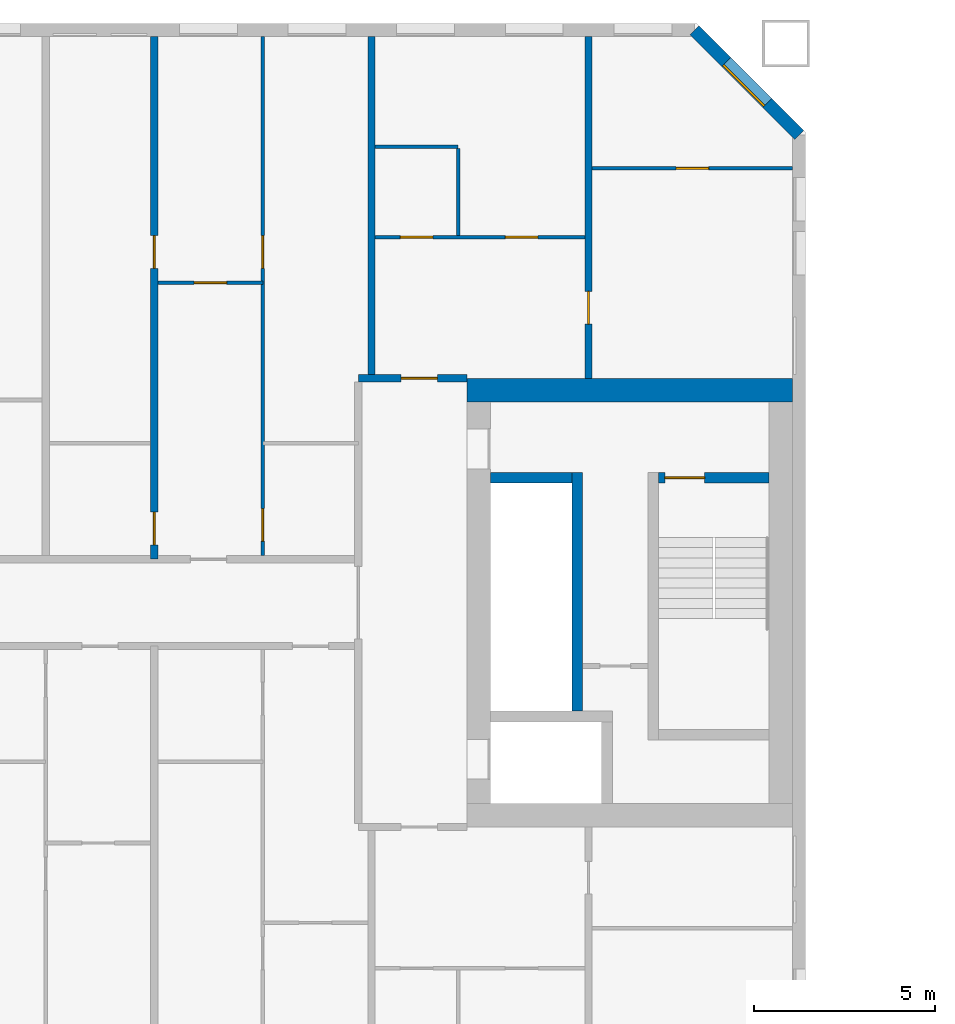
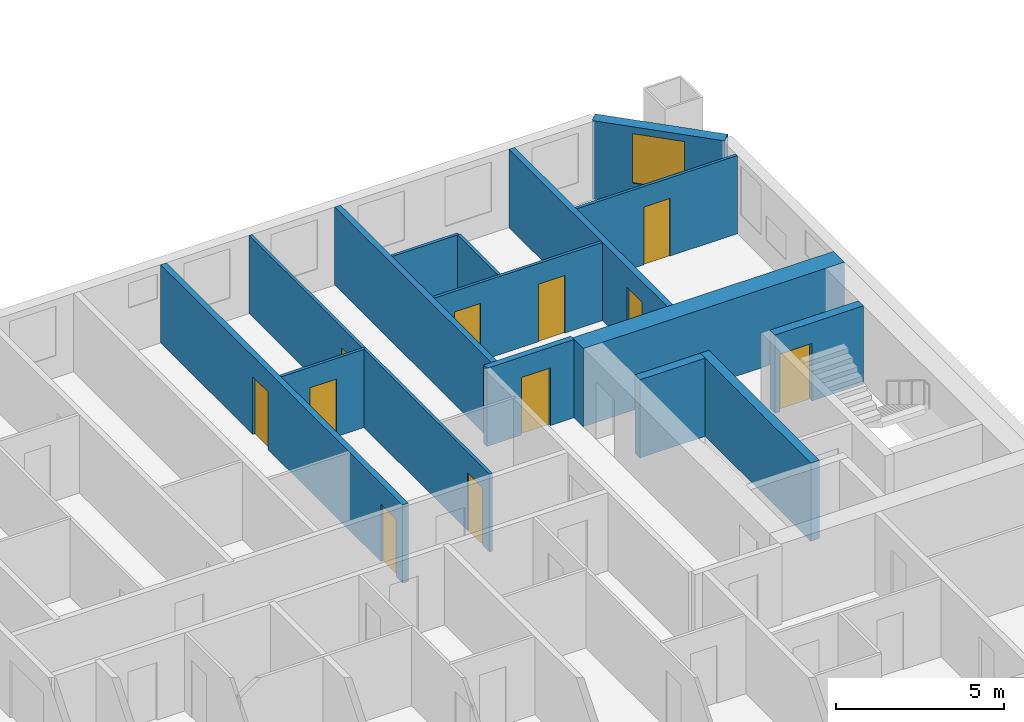
# One storey, part 8 of 17: 15 walls, 11 doors, 1 window, 12 openings.
"""IFC4 building model written with IfcOpenShell, lengths in metres."""

from ifc_helpers import new_model, si_unit, direction, frame, frame_2d, origin, place, context, subcontext, project, spatial, rectangle, extrude, material, layer, layer_set, type_object, element, fill, save


model = new_model("IFC4")

# Units and contexts
model_context = context("Model", 3, precision=1e-05, world=origin(), true_north=direction((0.0, 1.0)))
body_context = subcontext(model_context, "Body", "Model", "MODEL_VIEW")
ifc_project = project(units=[si_unit("LENGTHUNIT", "METRE"), si_unit("AREAUNIT", "SQUARE_METRE"), si_unit("VOLUMEUNIT", "CUBIC_METRE"), si_unit("PLANEANGLEUNIT", "RADIAN"), si_unit("MASSUNIT", "GRAM", prefix="KILO")], contexts=[model_context])

# Site, building, storey
site_placement = place(None, origin())
site = spatial("IfcSite", under=ifc_project, at=site_placement, CompositionType="ELEMENT")
building_placement = place(site_placement, origin())
building = spatial("IfcBuilding", under=site, at=building_placement, Name="Tuart Gate Housing", CompositionType="ELEMENT")
storey_placement = place(building_placement, frame((0.0, 0.0, 108.800048828125)))
storey = spatial("IfcBuildingStorey", under=building, at=storey_placement, Name="L30", CompositionType="ELEMENT", Elevation=108.800048828125)

# Wall, opening, window
ifc_material_1 = material(Name="Brick", Category="masonry")
ifc_layer_1 = layer(ifc_material_1, 0.360107421875)
ifc_layer_set_1 = layer_set([ifc_layer_1], Name="Brick pier and spandrel wall 360")
wall_type_1 = type_object("IfcWallType", Name="Brick pier and spandrel wall 360", PredefinedType="STANDARD", material=ifc_layer_set_1)
wall_1_placement = place(storey_placement, frame((75.820068359375, 82.92529296875, 0.0), z_axis=(0.0, 0.0, 1.0), x_axis=(-0.707106781187, 0.707106781187, 0.0)))
wall_1 = element("IfcWall", 1, at=wall_1_placement, inside=storey, type_object=wall_type_1, Name="External wall A-NE L30", PredefinedType="STANDARD", context=body_context, shape_type="SweptSolid", body=[
    extrude(rectangle(XDim=4.09375, YDim=0.360107421875, at=frame_2d((2.046875, 0.0))), origin(), (0.0, 0.0, 1.0), 2.849853515625),
])
opening_1_placement = place(wall_1_placement, frame((1.2470703125, 0.0, 0.800048828125)))
opening_1 = element("IfcOpeningElement", 2, at=opening_1_placement, cuts=wall_1, Name="Opening W1", PredefinedType="OPENING", context=body_context, shape_type="SweptSolid", body=[
    extrude(rectangle(XDim=1.60009765625, YDim=1.800048828125, at=frame_2d((0.800048828125, 0.89990234375))), frame((0.0, 0.18994140625, 0.0), z_axis=(0.0, -1.0, 0.0), x_axis=(1.0, 0.0, 0.0)), (0.0, 0.0, 1.0), 0.380126953125),
])
ifc_material_2 = material(Name="Aluminium frame with clear glass", Category="aluminium")
window_type = type_object("IfcWindowType", Name="Punched window 1600 x 1800", PartitioningType="SINGLE_PANEL", PredefinedType="WINDOW", material=ifc_material_2)
window_placement = place(opening_1_placement, origin())
window = element("IfcWindow", 3, at=window_placement, inside=storey, type_object=window_type, Name="Window W1", OverallHeight=1.800048828125, OverallWidth=1.60009765625, PartitioningType="SINGLE_PANEL", PredefinedType="WINDOW", context=body_context, shape_type="SweptSolid", body=[
    extrude(rectangle(XDim=1.60009765625, YDim=1.800048828125, at=frame_2d((0.800048828125, 0.89990234375))), frame((0.0, 0.150146484375, 0.0), z_axis=(0.0, -1.0, 0.0), x_axis=(1.0, 0.0, 0.0)), (0.0, 0.0, 1.0), 0.06005859375),
])
fill(opening_1, window)

# Wall
ifc_material_3 = material(Name="Concrete C50", Category="concrete")
ifc_layer_2 = layer(ifc_material_3, 0.300048828125)
ifc_layer_set_2 = layer_set([ifc_layer_2], Name="Core wall 300 C50")
wall_type_2 = type_object("IfcWallType", Name="Core wall 300 C50", PredefinedType="SHEAR", material=ifc_layer_set_2)
wall_2_placement = place(storey_placement, frame((67.2900390625, 73.449951171875, 0.0), z_axis=(0.0, 0.0, 1.0), x_axis=(1.0, 0.0, 0.0)))
element("IfcWall", 4, at=wall_2_placement, inside=storey, type_object=wall_type_2, Name="Core wall AG.4", PredefinedType="SHEAR", context=body_context, shape_type="SweptSolid", body=[
    extrude(rectangle(XDim=2.25, YDim=0.300048828125, at=frame_2d((1.125, 0.0))), origin(), (0.0, 0.0, 1.0), 2.849853515625),
])

# Wall, opening, door
wall_3_placement = place(storey_placement, frame((71.93994140625, 73.449951171875, 0.0), z_axis=(0.0, 0.0, 1.0), x_axis=(1.0, 0.0, 0.0)))
wall_3 = element("IfcWall", 5, at=wall_3_placement, inside=storey, type_object=wall_type_2, Name="Core wall AG.5", PredefinedType="SHEAR", context=body_context, shape_type="SweptSolid", body=[
    extrude(rectangle(XDim=3.050048828125, YDim=0.300048828125, at=frame_2d((1.52490234375, 0.0))), origin(), (0.0, 0.0, 1.0), 2.849853515625),
])
opening_2_placement = place(wall_3_placement, frame((0.169921875, 0.0, 0.0)))
opening_2 = element("IfcOpeningElement", 6, at=opening_2_placement, cuts=wall_3, Name="Opening D1201", PredefinedType="OPENING", context=body_context, shape_type="SweptSolid", body=[
    extrude(rectangle(XDim=1.10009765625, YDim=2.10009765625, at=frame_2d((0.550048828125, 1.050048828125))), frame((0.0, 0.159912109375, 0.0), z_axis=(0.0, -1.0, 0.0), x_axis=(1.0, 0.0, 0.0)), (0.0, 0.0, 1.0), 0.320068359375),
])
ifc_material_4 = material(Name="Steel fire door", Category="steel")
door_type_1 = type_object("IfcDoorType", Name="Stair door 1100 x 2100 RH", OperationType="SINGLE_SWING_RIGHT", PredefinedType="DOOR", material=ifc_material_4)
door_1_placement = place(opening_2_placement, frame((1.10009765625, 0.0, 0.0), z_axis=(0.0, 0.0, 1.0), x_axis=(-1.0, 0.0, 0.0)))
door_1 = element("IfcDoor", 7, at=door_1_placement, inside=storey, type_object=door_type_1, Name="Stair door AG.SD", OperationType="SINGLE_SWING_RIGHT", OverallHeight=2.10009765625, OverallWidth=1.10009765625, PredefinedType="DOOR", context=body_context, shape_type="SweptSolid", body=[
    extrude(rectangle(XDim=1.10009765625, YDim=2.10009765625, at=frame_2d((0.550048828125, 1.050048828125))), frame((0.0, 0.025146484375, 0.0), z_axis=(0.0, -1.0, 0.0), x_axis=(1.0, 0.0, 0.0)), (0.0, 0.0, 1.0), 0.050048828125),
])
fill(opening_2, door_1)

# Walls
wall_4_placement = place(storey_placement, frame((69.68994140625, 67.0, 0.0), z_axis=(0.0, 0.0, 1.0), x_axis=(0.0, 1.0, 0.0)))
element("IfcWall", 8, at=wall_4_placement, inside=storey, type_object=wall_type_2, Name="Core wall AG.6", PredefinedType="SHEAR", context=body_context, shape_type="SweptSolid", body=[
    extrude(rectangle(XDim=6.60009765625, YDim=0.300048828125, at=frame_2d((3.300048828125, 0.0))), origin(), (0.0, 0.0, 1.0), 2.849853515625),
])
ifc_material_5 = material(Name="Concrete C50", Category="concrete")
ifc_layer_3 = layer(ifc_material_5, 0.64990234375)
ifc_layer_set_3 = layer_set([ifc_layer_3], Name="Core wall 650 C50")
wall_type_3 = type_object("IfcWallType", Name="Core wall 650 C50", PredefinedType="SHEAR", material=ifc_layer_set_3)
wall_5_placement = place(storey_placement, frame((66.639892578125, 75.875, 0.0), z_axis=(0.0, 0.0, 1.0), x_axis=(1.0, 0.0, 0.0)))
element("IfcWall", 9, at=wall_5_placement, inside=storey, type_object=wall_type_3, Name="Core wall AG north", PredefinedType="SHEAR", context=body_context, shape_type="SweptSolid", body=[
    extrude(rectangle(XDim=9.0, YDim=0.64990234375, at=frame_2d((4.5, 0.0))), origin(), (0.0, 0.0, 1.0), 2.849853515625),
])

# Wall, opening, door
ifc_material_6 = material(Name="Concrete masonry 15 MPa", Category="masonry")
ifc_layer_4 = layer(ifc_material_6, 0.199951171875)
ifc_layer_set_4 = layer_set([ifc_layer_4], Name="Enclosure wall masonry 200")
wall_type_4 = type_object("IfcWallType", Name="Enclosure wall masonry 200", PredefinedType="PARTITIONING", material=ifc_layer_set_4)
wall_6_placement = place(storey_placement, frame((63.639892578125, 76.199951171875, 0.0), z_axis=(0.0, 0.0, 1.0), x_axis=(1.0, 0.0, 0.0)))
wall_6 = element("IfcWall", 10, at=wall_6_placement, inside=storey, type_object=wall_type_4, Name="Enclosure wall masonry 200", PredefinedType="PARTITIONING", context=body_context, shape_type="SweptSolid", body=[
    extrude(rectangle(XDim=3.0, YDim=0.199951171875, at=frame_2d((1.5, 0.0))), origin(), (0.0, 0.0, 1.0), 2.849853515625),
])
opening_3_placement = place(wall_6_placement, frame((1.179931640625, 0.0, 0.0)))
opening_3 = element("IfcOpeningElement", 11, at=opening_3_placement, cuts=wall_6, Name="Opening D1199", PredefinedType="OPENING", context=body_context, shape_type="SweptSolid", body=[
    extrude(rectangle(XDim=1.0, YDim=2.10009765625, at=frame_2d((0.5, 1.050048828125))), frame((0.0, 0.10986328125, 0.0), z_axis=(0.0, -1.0, 0.0), x_axis=(1.0, 0.0, 0.0)), (0.0, 0.0, 1.0), 0.219970703125),
])
ifc_material_7 = material(Name="Timber door leaf in steel frame", Category="steel")
door_type_2 = type_object("IfcDoorType", Name="Flat entrance door 1000", OperationType="SINGLE_SWING_LEFT", PredefinedType="DOOR", material=ifc_material_7)
door_2_placement = place(opening_3_placement, origin())
door_2 = element("IfcDoor", 12, at=door_2_placement, inside=storey, type_object=door_type_2, Name="Flat entrance door", OperationType="SINGLE_SWING_LEFT", OverallHeight=2.10009765625, OverallWidth=1.0, PredefinedType="DOOR", context=body_context, shape_type="SweptSolid", body=[
    extrude(rectangle(XDim=1.0, YDim=2.10009765625, at=frame_2d((0.5, 1.050048828125))), frame((0.0, 0.02490234375, 0.0), z_axis=(0.0, -1.0, 0.0), x_axis=(1.0, 0.0, 0.0)), (0.0, 0.0, 1.0), 0.050048828125),
])
fill(opening_3, door_2)

ifc_material_8 = material(Name="Gypsum board on steel studs", Category="steel")
ifc_layer_5 = layer(ifc_material_8, 0.10009765625)
ifc_layer_set_5 = layer_set([ifc_layer_5], Name="Partition 100")
wall_type_5 = type_object("IfcWallType", Name="Partition 100", PredefinedType="PARTITIONING", material=ifc_layer_set_5)
wall_7_placement = place(storey_placement, frame((58.10009765625, 78.840087890625, 0.0), z_axis=(0.0, 0.0, 1.0), x_axis=(1.0, 0.0, 0.0)))
wall_7 = element("IfcWall", 13, at=wall_7_placement, inside=storey, type_object=wall_type_5, Name="Partition 100", PredefinedType="PARTITIONING", context=body_context, shape_type="SweptSolid", body=[
    extrude(rectangle(XDim=2.89990234375, YDim=0.10009765625, at=frame_2d((1.449951171875, 0.0))), origin(), (0.0, 0.0, 1.0), 2.849853515625),
])
opening_4_placement = place(wall_7_placement, frame((1.0, 0.0, 0.0)))
opening_4 = element("IfcOpeningElement", 14, at=opening_4_placement, cuts=wall_7, Name="Opening D1186", PredefinedType="OPENING", context=body_context, shape_type="SweptSolid", body=[
    extrude(rectangle(XDim=0.89990234375, YDim=2.10009765625, at=frame_2d((0.449951171875, 1.050048828125))), frame((0.0, 0.06005859375, 0.0), z_axis=(0.0, -1.0, 0.0), x_axis=(1.0, 0.0, 0.0)), (0.0, 0.0, 1.0), 0.1201171875),
])
ifc_material_9 = material(Name="Timber door leaf in steel frame", Category="steel")
door_type_3 = type_object("IfcDoorType", Name="Internal door 900", OperationType="SINGLE_SWING_LEFT", PredefinedType="DOOR", material=ifc_material_9)
door_3_placement = place(opening_4_placement, frame((0.89990234375, 0.0, 0.0), z_axis=(0.0, 0.0, 1.0), x_axis=(-1.0, 0.0, 0.0)))
door_3 = element("IfcDoor", 15, at=door_3_placement, inside=storey, type_object=door_type_3, Name="Internal door", OperationType="SINGLE_SWING_LEFT", OverallHeight=2.10009765625, OverallWidth=0.89990234375, PredefinedType="DOOR", context=body_context, shape_type="SweptSolid", body=[
    extrude(rectangle(XDim=0.89990234375, YDim=2.10009765625, at=frame_2d((0.449951171875, 1.050048828125))), frame((0.0, 0.025146484375, 0.0), z_axis=(0.0, -1.0, 0.0), x_axis=(1.0, 0.0, 0.0)), (0.0, 0.0, 1.0), 0.050048828125),
])
fill(opening_4, door_3)

# Wall, openings, doors
wall_8_placement = place(storey_placement, frame((64.10009765625, 80.10009765625, 0.0), z_axis=(0.0, 0.0, 1.0), x_axis=(1.0, 0.0, 0.0)))
wall_8 = element("IfcWall", 16, at=wall_8_placement, inside=storey, type_object=wall_type_5, Name="Partition 100", PredefinedType="PARTITIONING", context=body_context, shape_type="SweptSolid", body=[
    extrude(rectangle(XDim=5.7998046875, YDim=0.10009765625, at=frame_2d((2.89990234375, 0.0))), origin(), (0.0, 0.0, 1.0), 2.849853515625),
])
opening_5_placement = place(wall_8_placement, frame((3.60009765625, 0.0, 0.0)))
opening_5 = element("IfcOpeningElement", 17, at=opening_5_placement, cuts=wall_8, Name="Opening D1185", PredefinedType="OPENING", context=body_context, shape_type="SweptSolid", body=[
    extrude(rectangle(XDim=0.89990234375, YDim=2.10009765625, at=frame_2d((0.449951171875, 1.050048828125))), frame((0.0, 0.06005859375, 0.0), z_axis=(0.0, -1.0, 0.0), x_axis=(1.0, 0.0, 0.0)), (0.0, 0.0, 1.0), 0.1201171875),
])
opening_6_placement = place(wall_8_placement, frame((0.699951171875, 0.0, 0.0)))
opening_6 = element("IfcOpeningElement", 18, at=opening_6_placement, cuts=wall_8, Name="Opening D1184", PredefinedType="OPENING", context=body_context, shape_type="SweptSolid", body=[
    extrude(rectangle(XDim=0.89990234375, YDim=2.10009765625, at=frame_2d((0.449951171875, 1.050048828125))), frame((0.0, 0.06005859375, 0.0), z_axis=(0.0, -1.0, 0.0), x_axis=(1.0, 0.0, 0.0)), (0.0, 0.0, 1.0), 0.1201171875),
])
ifc_material_10 = material(Name="Timber door leaf in steel frame", Category="steel")
door_type_4 = type_object("IfcDoorType", Name="Bathroom door 900 RH", OperationType="SINGLE_SWING_RIGHT", PredefinedType="DOOR", material=ifc_material_10)
door_4_placement = place(opening_6_placement, origin())
door_4 = element("IfcDoor", 19, at=door_4_placement, inside=storey, type_object=door_type_4, Name="Bathroom door", OperationType="SINGLE_SWING_RIGHT", OverallHeight=2.10009765625, OverallWidth=0.89990234375, PredefinedType="DOOR", context=body_context, shape_type="SweptSolid", body=[
    extrude(rectangle(XDim=0.89990234375, YDim=2.10009765625, at=frame_2d((0.449951171875, 1.050048828125))), frame((0.0, 0.02490234375, 0.0), z_axis=(0.0, -1.0, 0.0), x_axis=(1.0, 0.0, 0.0)), (0.0, 0.0, 1.0), 0.050048828125),
])
fill(opening_6, door_4)
door_5_placement = place(opening_5_placement, origin())
door_5 = element("IfcDoor", 20, at=door_5_placement, inside=storey, type_object=door_type_3, Name="Internal door", OperationType="SINGLE_SWING_LEFT", OverallHeight=2.10009765625, OverallWidth=0.89990234375, PredefinedType="DOOR", context=body_context, shape_type="SweptSolid", body=[
    extrude(rectangle(XDim=0.89990234375, YDim=2.10009765625, at=frame_2d((0.449951171875, 1.050048828125))), frame((0.0, 0.02490234375, 0.0), z_axis=(0.0, -1.0, 0.0), x_axis=(1.0, 0.0, 0.0)), (0.0, 0.0, 1.0), 0.050048828125),
])
fill(opening_5, door_5)

# Wall, opening, door
wall_9_placement = place(storey_placement, frame((70.10009765625, 82.0, 0.0), z_axis=(0.0, 0.0, 1.0), x_axis=(1.0, 0.0, 0.0)))
wall_9 = element("IfcWall", 21, at=wall_9_placement, inside=storey, type_object=wall_type_5, Name="Partition 100", PredefinedType="PARTITIONING", context=body_context, shape_type="SweptSolid", body=[
    extrude(rectangle(XDim=5.539794921875, YDim=0.10009765625, at=frame_2d((2.77001953125, 0.0))), origin(), (0.0, 0.0, 1.0), 2.849853515625),
])
opening_7_placement = place(wall_9_placement, frame((2.320068359375, 0.0, 0.0)))
opening_7 = element("IfcOpeningElement", 22, at=opening_7_placement, cuts=wall_9, Name="Opening D1178", PredefinedType="OPENING", context=body_context, shape_type="SweptSolid", body=[
    extrude(rectangle(XDim=0.89990234375, YDim=2.10009765625, at=frame_2d((0.449951171875, 1.050048828125))), frame((0.0, 0.06005859375, 0.0), z_axis=(0.0, -1.0, 0.0), x_axis=(1.0, 0.0, 0.0)), (0.0, 0.0, 1.0), 0.1201171875),
])
ifc_material_11 = material(Name="Timber door leaf in steel frame", Category="steel")
door_type_5 = type_object("IfcDoorType", Name="Internal door 900 RH", OperationType="SINGLE_SWING_RIGHT", PredefinedType="DOOR", material=ifc_material_11)
door_6_placement = place(opening_7_placement, origin())
door_6 = element("IfcDoor", 23, at=door_6_placement, inside=storey, type_object=door_type_5, Name="Internal door", OperationType="SINGLE_SWING_RIGHT", OverallHeight=2.10009765625, OverallWidth=0.89990234375, PredefinedType="DOOR", context=body_context, shape_type="SweptSolid", body=[
    extrude(rectangle(XDim=0.89990234375, YDim=2.10009765625, at=frame_2d((0.449951171875, 1.050048828125))), frame((0.0, 0.02490234375, 0.0), z_axis=(0.0, -1.0, 0.0), x_axis=(1.0, 0.0, 0.0)), (0.0, 0.0, 1.0), 0.050048828125),
])
fill(opening_7, door_6)

# Wall
wall_10_placement = place(storey_placement, frame((64.10009765625, 82.60009765625, 0.0), z_axis=(0.0, 0.0, 1.0), x_axis=(1.0, 0.0, 0.0)))
element("IfcWall", 24, at=wall_10_placement, inside=storey, type_object=wall_type_5, Name="Partition 100", PredefinedType="PARTITIONING", context=body_context, shape_type="SweptSolid", body=[
    extrude(rectangle(XDim=2.2998046875, YDim=0.10009765625, at=frame_2d((1.14990234375, 0.0))), origin(), (0.0, 0.0, 1.0), 2.849853515625),
])

# Wall, openings, doors
wall_11_placement = place(storey_placement, frame((61.0, 71.300048828125, 0.0), z_axis=(0.0, 0.0, 1.0), x_axis=(0.0, 1.0, 0.0)))
wall_11 = element("IfcWall", 25, at=wall_11_placement, inside=storey, type_object=wall_type_5, Name="Partition 100", PredefinedType="PARTITIONING", context=body_context, shape_type="SweptSolid", body=[
    extrude(rectangle(XDim=14.33984375, YDim=0.10009765625, at=frame_2d((7.169921875, 0.0))), origin(), (0.0, 0.0, 1.0), 2.849853515625),
])
opening_8_placement = place(wall_11_placement, frame((7.93994140625, 0.0, 0.0)))
opening_8 = element("IfcOpeningElement", 26, at=opening_8_placement, cuts=wall_11, Name="Opening D1193", PredefinedType="OPENING", context=body_context, shape_type="SweptSolid", body=[
    extrude(rectangle(XDim=0.89990234375, YDim=2.10009765625, at=frame_2d((0.449951171875, 1.050048828125))), frame((0.0, 0.06005859375, 0.0), z_axis=(0.0, -1.0, 0.0), x_axis=(1.0, 0.0, 0.0)), (0.0, 0.0, 1.0), 0.1201171875),
])
opening_9_placement = place(wall_11_placement, frame((0.39990234375, 0.0, 0.0)))
opening_9 = element("IfcOpeningElement", 27, at=opening_9_placement, cuts=wall_11, Name="Opening D1192", PredefinedType="OPENING", context=body_context, shape_type="SweptSolid", body=[
    extrude(rectangle(XDim=0.89990234375, YDim=2.10009765625, at=frame_2d((0.449951171875, 1.050048828125))), frame((0.0, 0.06005859375, 0.0), z_axis=(0.0, -1.0, 0.0), x_axis=(1.0, 0.0, 0.0)), (0.0, 0.0, 1.0), 0.1201171875),
])
door_7_placement = place(opening_9_placement, frame((0.89990234375, 0.0, 0.0), z_axis=(0.0, 0.0, 1.0), x_axis=(-1.0, 0.0, 0.0)))
door_7 = element("IfcDoor", 28, at=door_7_placement, inside=storey, type_object=door_type_4, Name="Bathroom door", OperationType="SINGLE_SWING_RIGHT", OverallHeight=2.10009765625, OverallWidth=0.89990234375, PredefinedType="DOOR", context=body_context, shape_type="SweptSolid", body=[
    extrude(rectangle(XDim=0.89990234375, YDim=2.10009765625, at=frame_2d((0.449951171875, 1.050048828125))), frame((0.0, 0.025146484375, 0.0), z_axis=(0.0, -1.0, 0.0), x_axis=(1.0, 0.0, 0.0)), (0.0, 0.0, 1.0), 0.050048828125),
])
fill(opening_9, door_7)
door_8_placement = place(opening_8_placement, frame((0.89990234375, 0.0, 0.0), z_axis=(0.0, 0.0, 1.0), x_axis=(-1.0, 0.0, 0.0)))
door_8 = element("IfcDoor", 29, at=door_8_placement, inside=storey, type_object=door_type_5, Name="Internal door", OperationType="SINGLE_SWING_RIGHT", OverallHeight=2.10009765625, OverallWidth=0.89990234375, PredefinedType="DOOR", context=body_context, shape_type="SweptSolid", body=[
    extrude(rectangle(XDim=0.89990234375, YDim=2.10009765625, at=frame_2d((0.449951171875, 1.050048828125))), frame((0.0, 0.025146484375, 0.0), z_axis=(0.0, -1.0, 0.0), x_axis=(1.0, 0.0, 0.0)), (0.0, 0.0, 1.0), 0.050048828125),
])
fill(opening_8, door_8)

# Wall
wall_12_placement = place(storey_placement, frame((66.39990234375, 80.14990234375, 0.0), z_axis=(0.0, 0.0, 1.0), x_axis=(0.0, 1.0, 0.0)))
element("IfcWall", 30, at=wall_12_placement, inside=storey, type_object=wall_type_5, Name="Partition 100", PredefinedType="PARTITIONING", context=body_context, shape_type="SweptSolid", body=[
    extrude(rectangle(XDim=2.400146484375, YDim=0.10009765625, at=frame_2d((1.2001953125, 0.0))), origin(), (0.0, 0.0, 1.0), 2.849853515625),
])

# Wall, openings, doors
ifc_material_12 = material(Name="Concrete C40", Category="concrete")
ifc_layer_6 = layer(ifc_material_12, 0.199951171875)
ifc_layer_set_6 = layer_set([ifc_layer_6], Name="Party wall concrete C40 200")
wall_type_6 = type_object("IfcWallType", Name="Party wall concrete C40 200", PredefinedType="SOLIDWALL", material=ifc_layer_set_6)
wall_13_placement = place(storey_placement, frame((58.0, 71.199951171875, 0.0), z_axis=(0.0, 0.0, 1.0), x_axis=(0.0, 1.0, 0.0)))
wall_13 = element("IfcWall", 31, at=wall_13_placement, inside=storey, type_object=wall_type_6, Name="Party wall concrete C40 200", PredefinedType="SOLIDWALL", context=body_context, shape_type="SweptSolid", body=[
    extrude(rectangle(XDim=14.43994140625, YDim=0.199951171875, at=frame_2d((7.219970703125, 0.0))), origin(), (0.0, 0.0, 1.0), 2.849853515625),
])
opening_10_placement = place(wall_13_placement, frame((8.0400390625, 0.0, 0.0)))
opening_10 = element("IfcOpeningElement", 32, at=opening_10_placement, cuts=wall_13, Name="Opening D1197", PredefinedType="OPENING", context=body_context, shape_type="SweptSolid", body=[
    extrude(rectangle(XDim=0.89990234375, YDim=2.10009765625, at=frame_2d((0.449951171875, 1.050048828125))), frame((0.0, 0.10986328125, 0.0), z_axis=(0.0, -1.0, 0.0), x_axis=(1.0, 0.0, 0.0)), (0.0, 0.0, 1.0), 0.219970703125),
])
opening_11_placement = place(wall_13_placement, frame((0.39990234375, 0.0, 0.0)))
opening_11 = element("IfcOpeningElement", 33, at=opening_11_placement, cuts=wall_13, Name="Opening D1196", PredefinedType="OPENING", context=body_context, shape_type="SweptSolid", body=[
    extrude(rectangle(XDim=0.89990234375, YDim=2.10009765625, at=frame_2d((0.449951171875, 1.050048828125))), frame((0.0, 0.10986328125, 0.0), z_axis=(0.0, -1.0, 0.0), x_axis=(1.0, 0.0, 0.0)), (0.0, 0.0, 1.0), 0.219970703125),
])
ifc_material_13 = material(Name="Timber door leaf in steel frame", Category="steel")
door_type_6 = type_object("IfcDoorType", Name="Bathroom door 900", OperationType="SINGLE_SWING_LEFT", PredefinedType="DOOR", material=ifc_material_13)
door_9_placement = place(opening_11_placement, origin())
door_9 = element("IfcDoor", 34, at=door_9_placement, inside=storey, type_object=door_type_6, Name="Bathroom door", OperationType="SINGLE_SWING_LEFT", OverallHeight=2.10009765625, OverallWidth=0.89990234375, PredefinedType="DOOR", context=body_context, shape_type="SweptSolid", body=[
    extrude(rectangle(XDim=0.89990234375, YDim=2.10009765625, at=frame_2d((0.449951171875, 1.050048828125))), frame((0.0, 0.02490234375, 0.0), z_axis=(0.0, -1.0, 0.0), x_axis=(1.0, 0.0, 0.0)), (0.0, 0.0, 1.0), 0.050048828125),
])
fill(opening_11, door_9)
door_10_placement = place(opening_10_placement, origin())
door_10 = element("IfcDoor", 35, at=door_10_placement, inside=storey, type_object=door_type_3, Name="Internal door", OperationType="SINGLE_SWING_LEFT", OverallHeight=2.10009765625, OverallWidth=0.89990234375, PredefinedType="DOOR", context=body_context, shape_type="SweptSolid", body=[
    extrude(rectangle(XDim=0.89990234375, YDim=2.10009765625, at=frame_2d((0.449951171875, 1.050048828125))), frame((0.0, 0.02490234375, 0.0), z_axis=(0.0, -1.0, 0.0), x_axis=(1.0, 0.0, 0.0)), (0.0, 0.0, 1.0), 0.050048828125),
])
fill(opening_10, door_10)

# Wall
wall_14_placement = place(storey_placement, frame((64.0, 76.199951171875, 0.0), z_axis=(0.0, 0.0, 1.0), x_axis=(0.0, 1.0, 0.0)))
element("IfcWall", 36, at=wall_14_placement, inside=storey, type_object=wall_type_6, Name="Party wall concrete C40 200", PredefinedType="SOLIDWALL", context=body_context, shape_type="SweptSolid", body=[
    extrude(rectangle(XDim=9.43994140625, YDim=0.199951171875, at=frame_2d((4.719970703125, 0.0))), origin(), (0.0, 0.0, 1.0), 2.849853515625),
])

# Wall, opening, door
wall_15_placement = place(storey_placement, frame((70.0, 76.199951171875, 0.0), z_axis=(0.0, 0.0, 1.0), x_axis=(0.0, 1.0, 0.0)))
wall_15 = element("IfcWall", 37, at=wall_15_placement, inside=storey, type_object=wall_type_6, Name="Party wall concrete C40 200", PredefinedType="SOLIDWALL", context=body_context, shape_type="SweptSolid", body=[
    extrude(rectangle(XDim=9.43994140625, YDim=0.199951171875, at=frame_2d((4.719970703125, 0.0))), origin(), (0.0, 0.0, 1.0), 2.849853515625),
])
opening_12_placement = place(wall_15_placement, frame((1.5, 0.0, 0.0)))
opening_12 = element("IfcOpeningElement", 38, at=opening_12_placement, cuts=wall_15, Name="Opening D1179", PredefinedType="OPENING", context=body_context, shape_type="SweptSolid", body=[
    extrude(rectangle(XDim=0.89990234375, YDim=2.10009765625, at=frame_2d((0.449951171875, 1.050048828125))), frame((0.0, 0.10986328125, 0.0), z_axis=(0.0, -1.0, 0.0), x_axis=(1.0, 0.0, 0.0)), (0.0, 0.0, 1.0), 0.219970703125),
])
door_11_placement = place(opening_12_placement, origin())
door_11 = element("IfcDoor", 39, at=door_11_placement, inside=storey, type_object=door_type_3, Name="Internal door", OperationType="SINGLE_SWING_LEFT", OverallHeight=2.10009765625, OverallWidth=0.89990234375, PredefinedType="DOOR", context=body_context, shape_type="SweptSolid", body=[
    extrude(rectangle(XDim=0.89990234375, YDim=2.10009765625, at=frame_2d((0.449951171875, 1.050048828125))), frame((0.0, 0.02490234375, 0.0), z_axis=(0.0, -1.0, 0.0), x_axis=(1.0, 0.0, 0.0)), (0.0, 0.0, 1.0), 0.050048828125),
])
fill(opening_12, door_11)

save(model, "model.ifc")
